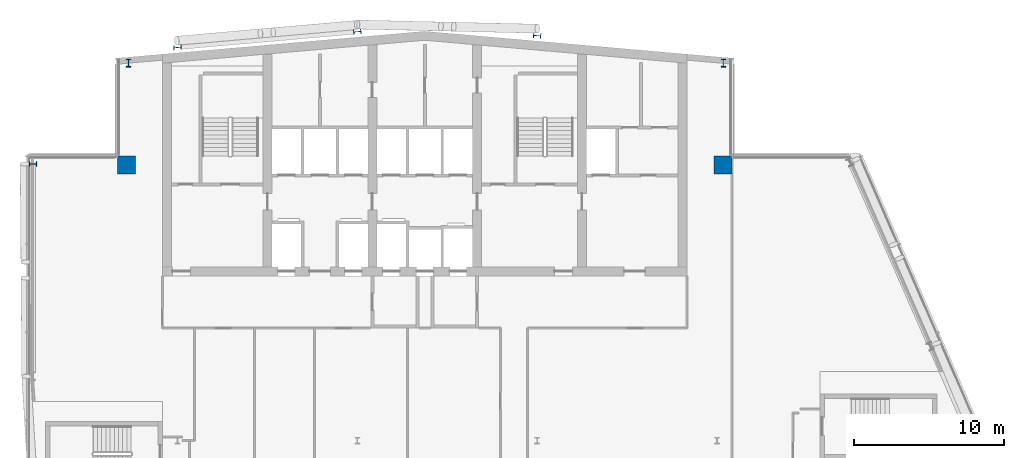
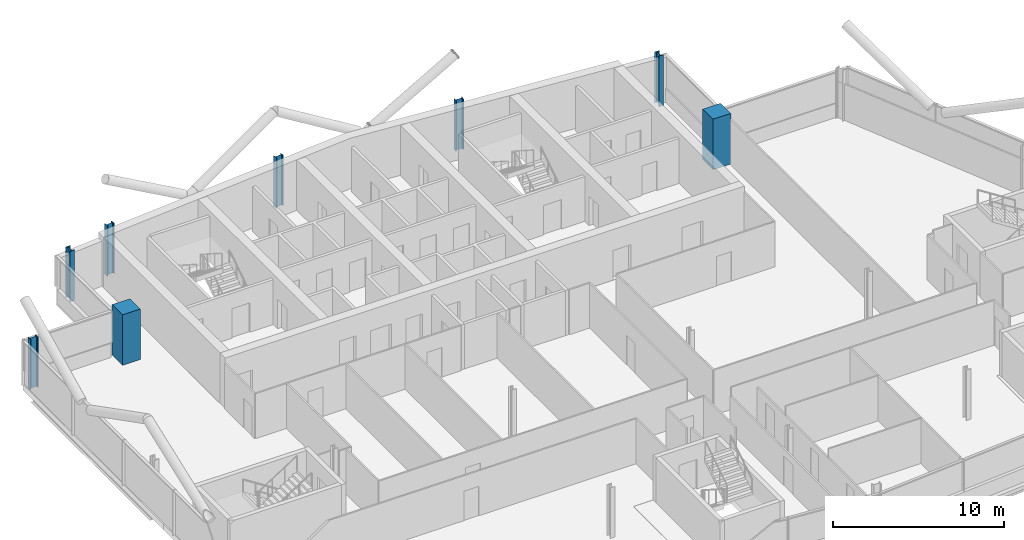
# One storey, part 3 of 26: 8 columns.
"""IFC4 building model written with IfcOpenShell, lengths in metres."""

from ifc_helpers import new_model, si_unit, direction, frame, origin, origin_2d, place, context, subcontext, project, spatial, rectangle, i_section, extrude, material, material_profile, profile_set, type_object, element, save


model = new_model("IFC4")

# Units and contexts
model_context = context("Model", 3, precision=1e-05, world=origin(), true_north=direction((0.0, 1.0)))
body_context = subcontext(model_context, "Body", "Model", "MODEL_VIEW")
ifc_project = project(units=[si_unit("LENGTHUNIT", "METRE"), si_unit("AREAUNIT", "SQUARE_METRE"), si_unit("VOLUMEUNIT", "CUBIC_METRE"), si_unit("PLANEANGLEUNIT", "RADIAN"), si_unit("MASSUNIT", "GRAM", prefix="KILO")], contexts=[model_context])

# Site, building, storey
site_placement = place(None, origin())
site = spatial("IfcSite", under=ifc_project, at=site_placement, CompositionType="ELEMENT")
building_placement = place(site_placement, origin())
building = spatial("IfcBuilding", under=site, at=building_placement, Name="Wharfspan Tower", CompositionType="ELEMENT")
storey_placement = place(building_placement, frame((0.0, 0.0, 214.300049)))
storey = spatial("IfcBuildingStorey", under=building, at=storey_placement, Name="L53", CompositionType="ELEMENT", Elevation=214.300049)

# Columns
ifc_material_1 = material(Name="Steel S355J2", Category="steel")
ifc_material_profile_1 = material_profile(ifc_material_1, i_section(OverallWidth=0.300049, OverallDepth=0.5, WebThickness=0.014404, FlangeThickness=0.028076, FilletRadius=0.0271, at=origin_2d()))
ifc_profile_set_1 = profile_set([ifc_material_profile_1], Name="Steel S355J2")
column_type_1 = type_object("IfcColumnType", Name="Column HEB 500", PredefinedType="COLUMN", material=ifc_profile_set_1)
for number, where, z_axis, x_axis, name in (
    (1, (24.0, 49.234863, 0.0), (0.0, 0.0, 1.0), (-0.087156, 0.996197, 0.0), "Rear column R.1 L53"),
    (2, (36.0, 50.284668, 0.0), (0.0, 0.0, 1.0), (-0.087156, 0.996197, 0.0), "Rear column R.2 L53"),
    (3, (48.0, 50.022217, 0.0), (0.0, 0.0, 1.0), (0.087156, 0.996197, 0.0), "Rear column R.3 L53"),
):
    element("IfcColumn", number, at=place(storey_placement, frame(where, z_axis=z_axis, x_axis=x_axis)), inside=storey, type_object=column_type_1, Name=name, PredefinedType="COLUMN", context=body_context, shape_type="SweptSolid", body=[
        extrude(i_section(OverallWidth=0.300049, OverallDepth=0.5, WebThickness=0.014404, FlangeThickness=0.028076, FilletRadius=0.0271, at=origin_2d()), origin(), (0.0, 0.0, 1.0), 3.599854),
    ])
ifc_material_profile_2 = material_profile(ifc_material_1, i_section(OverallWidth=0.305908, OverallDepth=0.523926, WebThickness=0.020996, FlangeThickness=0.040039, FilletRadius=0.0271, at=origin_2d()))
ifc_profile_set_2 = profile_set([ifc_material_profile_2], Name="Steel S355J2")
column_type_2 = type_object("IfcColumnType", Name="Column HEM 500", PredefinedType="COLUMN", material=ifc_profile_set_2)
for number, where, z_axis, x_axis, name in (
    (4, (60.422119, 48.189453, 0.0), (0.0, 0.0, 1.0), (1.0, 0.0, 0.0), "Perimeter column PNRE-V.1 L53"),
    (5, (20.731201, 48.189941, 0.0), (0.0, 0.0, 1.0), (-1.0, 0.0, 0.0), "Perimeter column PNRW-V.1 L53"),
    (6, (14.356934, 41.459717, 0.0), (0.0, 0.0, 1.0), (0.0, 1.0, 0.0), "Perimeter column PNRW-H.1 L53"),
):
    element("IfcColumn", number, at=place(storey_placement, frame(where, z_axis=z_axis, x_axis=x_axis)), inside=storey, type_object=column_type_2, Name=name, PredefinedType="COLUMN", context=body_context, shape_type="SweptSolid", body=[
        extrude(i_section(OverallWidth=0.305908, OverallDepth=0.523926, WebThickness=0.020996, FlangeThickness=0.040039, FilletRadius=0.0271, at=origin_2d()), origin(), (0.0, 0.0, 1.0), 3.599854),
    ])
ifc_material_2 = material(Name="Concrete C50/60", Category="concrete")
ifc_material_profile_3 = material_profile(ifc_material_2, rectangle(XDim=1.199951, YDim=1.199951, at=origin_2d()))
ifc_profile_set_3 = profile_set([ifc_material_profile_3], Name="Concrete C50/60")
column_type_3 = type_object("IfcColumnType", Name="Mega column 1200 C50/60", PredefinedType="COLUMN", material=ifc_profile_set_3)
for number, where, z_axis, x_axis, name in (
    (7, (20.600098, 41.399902, 0.0), (0.0, 0.0, 1.0), (1.0, 0.0, 0.0), "Mega column MC2 L53"),
    (8, (60.399902, 41.399902, 0.0), (0.0, 0.0, 1.0), (1.0, 0.0, 0.0), "Mega column MC3 L53"),
):
    element("IfcColumn", number, at=place(storey_placement, frame(where, z_axis=z_axis, x_axis=x_axis)), inside=storey, type_object=column_type_3, Name=name, PredefinedType="COLUMN", context=body_context, shape_type="SweptSolid", body=[
        extrude(rectangle(XDim=1.199951, YDim=1.199951, at=origin_2d()), origin(), (0.0, 0.0, 1.0), 3.599854),
    ])

save(model, "model.ifc")
